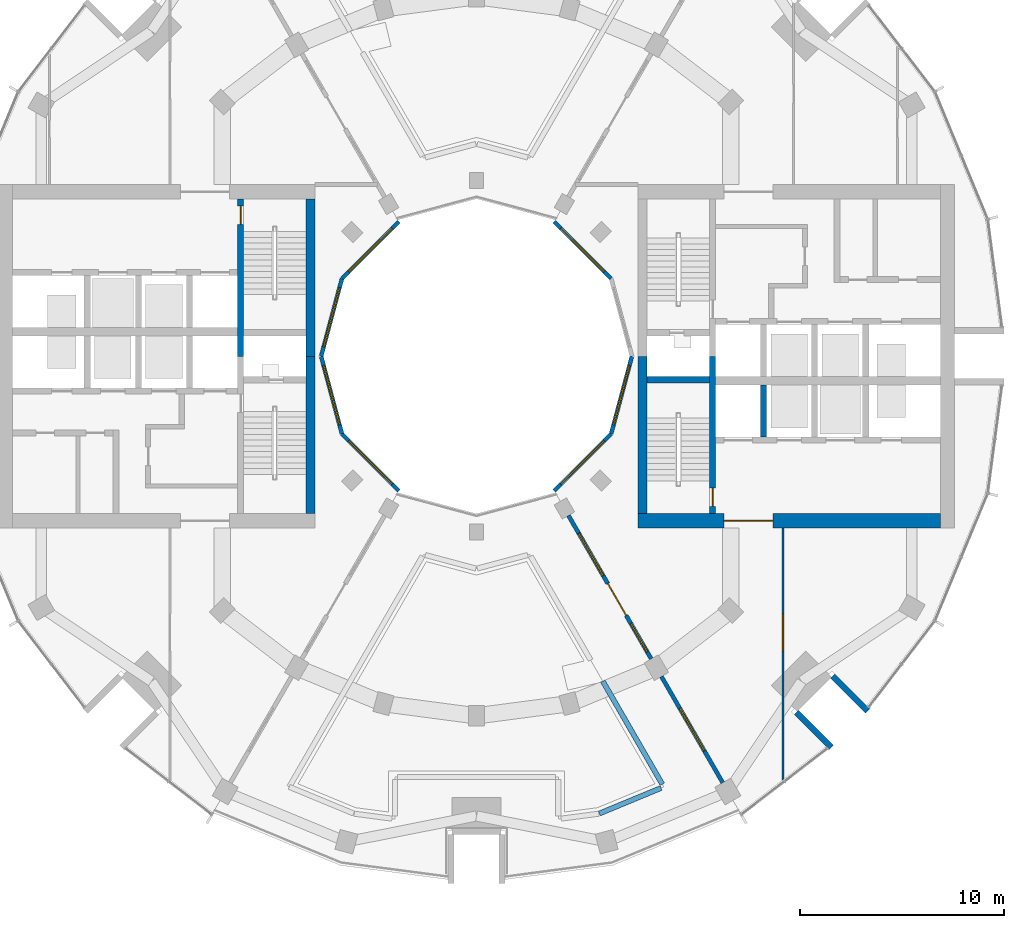
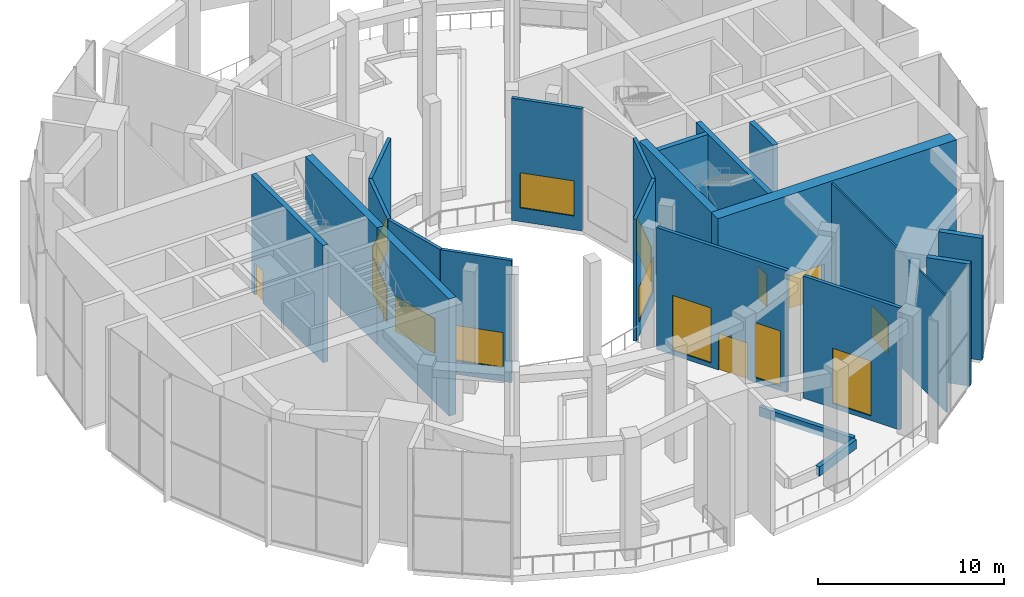
# One storey, part 12 of 18: 22 walls, 10 windows, 5 doors, 15 openings.
"""IFC4 building model written with IfcOpenShell, lengths in metres."""

from ifc_helpers import new_model, si_unit, direction, frame, frame_2d, origin, place, context, subcontext, project, spatial, rectangle, extrude, material, layer, layer_set, type_object, element, fill, save


model = new_model("IFC4")

# Units and contexts
model_context = context("Model", 3, precision=1e-05, world=origin(), true_north=direction((0.0, 1.0)))
body_context = subcontext(model_context, "Body", "Model", "MODEL_VIEW")
ifc_project = project(units=[si_unit("LENGTHUNIT", "METRE"), si_unit("AREAUNIT", "SQUARE_METRE"), si_unit("VOLUMEUNIT", "CUBIC_METRE"), si_unit("PLANEANGLEUNIT", "RADIAN"), si_unit("MASSUNIT", "GRAM", prefix="KILO")], contexts=[model_context])

# Site, building, storey
site_placement = place(None, origin())
site = spatial("IfcSite", under=ifc_project, at=site_placement, CompositionType="ELEMENT")
building_placement = place(site_placement, origin())
building = spatial("IfcBuilding", under=site, at=building_placement, Name="Torre Brocal", CompositionType="ELEMENT")
storey_placement = place(building_placement, frame((0.0, 0.0, 149.699951171875)))
storey = spatial("IfcBuildingStorey", under=building, at=storey_placement, Name="L35", CompositionType="ELEMENT", Elevation=149.699951171875)

# Wall, opening, door
ifc_material_1 = material(Name="Concrete C70", Category="concrete")
ifc_layer_1 = layer(ifc_material_1, 0.300048828125)
ifc_layer_set_1 = layer_set([ifc_layer_1], Name="Concrete C70")
wall_type_1 = type_object("IfcWallType", Name="CORE WALL 300 C70", PredefinedType="SHEAR", material=ifc_layer_set_1)
wall_1_placement = place(storey_placement, frame((91.550048828125, 67.300048828125, 0.0), z_axis=(0.0, 0.0, 1.0), x_axis=(0.0, 1.0, 0.0)))
wall_1 = element("IfcWall", 1, at=wall_1_placement, inside=storey, type_object=wall_type_1, Name="Wall CW300-70", PredefinedType="SHEAR", context=body_context, shape_type="SweptSolid", body=[
    extrude(rectangle(XDim=7.699951171875, YDim=0.300048828125, at=frame_2d((3.85009765625, 0.0))), origin(), (0.0, 0.0, 1.0), 7.679931640625),
])
opening_1_placement = place(wall_1_placement, frame((0.35009765625, 0.0, 0.0)))
opening_1 = element("IfcOpeningElement", 2, at=opening_1_placement, cuts=wall_1, Name="Opening E-D03", PredefinedType="OPENING", context=body_context, shape_type="SweptSolid", body=[
    extrude(rectangle(XDim=0.89990234375, YDim=2.10009765625, at=frame_2d((0.449951171875, 1.050048828125))), frame((0.0, 0.159912109375, 0.0), z_axis=(0.0, -1.0, 0.0), x_axis=(1.0, 0.0, 0.0)), (0.0, 0.0, 1.0), 0.320068359375),
])
ifc_material_2 = material(Name="Steel A653", Category="steel")
door_type_1 = type_object("IfcDoorType", Name="STAIR DOOR FD120 900X2100", OperationType="SINGLE_SWING_RIGHT", PredefinedType="DOOR", material=ifc_material_2)
door_1_placement = place(opening_1_placement, origin())
door_1 = element("IfcDoor", 3, at=door_1_placement, inside=storey, type_object=door_type_1, Name="Door E-D03", OperationType="SINGLE_SWING_LEFT", OverallHeight=2.10009765625, OverallWidth=0.89990234375, PredefinedType="DOOR", context=body_context, shape_type="SweptSolid", body=[
    extrude(rectangle(XDim=0.89990234375, YDim=2.10009765625, at=frame_2d((0.449951171875, 1.050048828125))), frame((0.0, 0.02490234375, 0.0), z_axis=(0.0, -1.0, 0.0), x_axis=(1.0, 0.0, 0.0)), (0.0, 0.0, 1.0), 0.050048828125),
])
fill(opening_1, door_1)

# Walls
wall_2_placement = place(storey_placement, frame((88.35009765625, 73.85009765625, 0.0), z_axis=(0.0, 0.0, 1.0), x_axis=(1.0, 0.0, 0.0)))
element("IfcWall", 4, at=wall_2_placement, inside=storey, type_object=wall_type_1, Name="Wall CW300-70", PredefinedType="SHEAR", context=body_context, shape_type="SweptSolid", body=[
    extrude(rectangle(XDim=3.0498046875, YDim=0.300048828125, at=frame_2d((1.52490234375, 0.0))), origin(), (0.0, 0.0, 1.0), 7.679931640625),
])
wall_3_placement = place(storey_placement, frame((94.050048828125, 71.050048828125, 0.0), z_axis=(0.0, 0.0, 1.0), x_axis=(0.0, 1.0, 0.0)))
element("IfcWall", 5, at=wall_3_placement, inside=storey, type_object=wall_type_1, Name="Wall CW300-70", PredefinedType="SHEAR", context=body_context, shape_type="SweptSolid", body=[
    extrude(rectangle(XDim=2.550048828125, YDim=0.300048828125, at=frame_2d((1.27490234375, 0.0))), origin(), (0.0, 0.0, 1.0), 7.679931640625),
])

# Wall, opening, door
wall_4_placement = place(storey_placement, frame((68.449951171875, 82.699951171875, 0.0), z_axis=(0.0, 0.0, 1.0), x_axis=(0.0, -1.0, 0.0)))
wall_4 = element("IfcWall", 6, at=wall_4_placement, inside=storey, type_object=wall_type_1, Name="Wall CW300-70", PredefinedType="SHEAR", context=body_context, shape_type="SweptSolid", body=[
    extrude(rectangle(XDim=7.699951171875, YDim=0.300048828125, at=frame_2d((3.85009765625, 0.0))), origin(), (0.0, 0.0, 1.0), 7.679931640625),
])
opening_2_placement = place(wall_4_placement, frame((0.35009765625, 0.0, 0.0)))
opening_2 = element("IfcOpeningElement", 7, at=opening_2_placement, cuts=wall_4, Name="Opening W-D03", PredefinedType="OPENING", context=body_context, shape_type="SweptSolid", body=[
    extrude(rectangle(XDim=0.89990234375, YDim=2.10009765625, at=frame_2d((0.449951171875, 1.050048828125))), frame((0.0, 0.159912109375, 0.0), z_axis=(0.0, -1.0, 0.0), x_axis=(1.0, 0.0, 0.0)), (0.0, 0.0, 1.0), 0.320068359375),
])
door_2_placement = place(opening_2_placement, origin())
door_2 = element("IfcDoor", 8, at=door_2_placement, inside=storey, type_object=door_type_1, Name="Door W-D03", OperationType="SINGLE_SWING_LEFT", OverallHeight=2.10009765625, OverallWidth=0.89990234375, PredefinedType="DOOR", context=body_context, shape_type="SweptSolid", body=[
    extrude(rectangle(XDim=0.89990234375, YDim=2.10009765625, at=frame_2d((0.449951171875, 1.050048828125))), frame((0.0, 0.02490234375, 0.0), z_axis=(0.0, -1.0, 0.0), x_axis=(1.0, 0.0, 0.0)), (0.0, 0.0, 1.0), 0.050048828125),
])
fill(opening_2, door_2)

# Walls
ifc_material_3 = material(Name="Concrete C70", Category="concrete")
ifc_layer_2 = layer(ifc_material_3, 0.449951171875)
ifc_layer_set_2 = layer_set([ifc_layer_2], Name="Concrete C70")
wall_type_2 = type_object("IfcWallType", Name="CORE WALL 450 C70", PredefinedType="SHEAR", material=ifc_layer_set_2)
for number, where, z_axis, x_axis, name in (
    (9, (88.125, 67.300048828125, 0.0), (0.0, 0.0, 1.0), (0.0, 1.0, 0.0), "Wall CW450-70"),
    (10, (71.875, 75.0, 0.0), (0.0, 0.0, 1.0), (0.0, -1.0, 0.0), "Wall CW450-70"),
    (11, (71.875, 82.699951171875, 0.0), (0.0, 0.0, 1.0), (0.0, -1.0, 0.0), "Wall CW450-70"),
):
    element("IfcWall", number, at=place(storey_placement, frame(where, z_axis=z_axis, x_axis=x_axis)), inside=storey, type_object=wall_type_2, Name=name, PredefinedType="SHEAR", context=body_context, shape_type="SweptSolid", body=[
        extrude(rectangle(XDim=7.699951171875, YDim=0.449951171875, at=frame_2d((3.85009765625, 0.0))), origin(), (0.0, 0.0, 1.0), 7.679931640625),
    ])

# Wall, opening, door
ifc_material_4 = material(Name="Concrete C70", Category="concrete")
ifc_layer_3 = layer(ifc_material_4, 0.699951171875)
ifc_layer_set_3 = layer_set([ifc_layer_3], Name="Concrete C70")
wall_type_3 = type_object("IfcWallType", Name="CORE WALL 700 C70", PredefinedType="SHEAR", material=ifc_layer_set_3)
wall_5_placement = place(storey_placement, frame((87.89990234375, 66.949951171875, 0.0), z_axis=(0.0, 0.0, 1.0), x_axis=(1.0, 0.0, 0.0)))
wall_5 = element("IfcWall", 12, at=wall_5_placement, inside=storey, type_object=wall_type_3, Name="Wall CW700-70", PredefinedType="SHEAR", context=body_context, shape_type="SweptSolid", body=[
    extrude(rectangle(XDim=14.800048828125, YDim=0.699951171875, at=frame_2d((7.39990234375, 0.0))), origin(), (0.0, 0.0, 1.0), 7.679931640625),
])
opening_3_placement = place(wall_5_placement, frame((4.199951171875, 0.0, 0.0)))
opening_3 = element("IfcOpeningElement", 13, at=opening_3_placement, cuts=wall_5, Name="Opening E-D27", PredefinedType="OPENING", context=body_context, shape_type="SweptSolid", body=[
    extrude(rectangle(XDim=2.39990234375, YDim=2.39990234375, at=frame_2d((1.199951171875, 1.199951171875))), frame((0.0, 0.35986328125, 0.0), z_axis=(0.0, -1.0, 0.0), x_axis=(1.0, 0.0, 0.0)), (0.0, 0.0, 1.0), 0.719970703125),
])
ifc_material_5 = material(Name="Steel A653", Category="steel")
door_type_2 = type_object("IfcDoorType", Name="DOUBLE FIRE DOOR FD90 2400X2400", OperationType="DOUBLE_DOOR_SINGLE_SWING", PredefinedType="DOOR", material=ifc_material_5)
door_3_placement = place(opening_3_placement, frame((2.39990234375, 0.0, 0.0), z_axis=(0.0, 0.0, 1.0), x_axis=(-1.0, 0.0, 0.0)))
door_3 = element("IfcDoor", 14, at=door_3_placement, inside=storey, type_object=door_type_2, Name="Door E-D27", OperationType="DOUBLE_DOOR_SINGLE_SWING", OverallHeight=2.39990234375, OverallWidth=2.39990234375, PredefinedType="DOOR", context=body_context, shape_type="SweptSolid", body=[
    extrude(rectangle(XDim=2.39990234375, YDim=2.39990234375, at=frame_2d((1.199951171875, 1.199951171875))), frame((0.0, 0.02490234375, 0.0), z_axis=(0.0, -1.0, 0.0), x_axis=(1.0, 0.0, 0.0)), (0.0, 0.0, 1.0), 0.050048828125),
])
fill(opening_3, door_3)

# Walls
ifc_material_6 = material(Name="Concrete C70", Category="concrete")
ifc_layer_4 = layer(ifc_material_6, 0.300048828125)
ifc_layer_set_4 = layer_set([ifc_layer_4], Name="Concrete C70")
wall_type_4 = type_object("IfcWallType", Name="NOTCH RETURN WALL 300 C70", PredefinedType="NOTDEFINED", material=ifc_layer_set_4)
for number, where, z_axis, x_axis, name in (
    (15, (95.662353515625, 57.56982421875, 0.0), (0.0, 0.0, 1.0), (0.707106781187, -0.707106781187, 0.0), "NOTCH RETURN WALL"),
    (16, (97.43017578125, 59.337646484375, 0.0), (0.0, 0.0, 1.0), (0.707106781187, -0.707106781187, 0.0), "NOTCH RETURN WALL"),
):
    element("IfcWall", number, at=place(storey_placement, frame(where, z_axis=z_axis, x_axis=x_axis)), inside=storey, type_object=wall_type_4, Name=name, PredefinedType="NOTDEFINED", context=body_context, shape_type="SweptSolid", body=[
        extrude(rectangle(XDim=2.415771484375, YDim=0.300048828125, at=frame_2d((1.2080078125, 0.0))), origin(), (0.0, 0.0, 1.0), 8.0),
    ])

# Wall, opening, door
ifc_material_7 = material(Name="Gypsum board", Category="Gypsum")
ifc_layer_5 = layer(ifc_material_7, 0.10009765625)
ifc_layer_set_5 = layer_set([ifc_layer_5], Name="Gypsum board")
wall_type_5 = type_object("IfcWallType", Name="PARTITION 100", PredefinedType="PARTITIONING", material=ifc_layer_set_5)
wall_6_placement = place(storey_placement, frame((95.0, 54.27001953125, 0.0), z_axis=(0.0, 0.0, 1.0), x_axis=(0.0, 1.0, 0.0)))
wall_6 = element("IfcWall", 17, at=wall_6_placement, inside=storey, type_object=wall_type_5, Name="ROOM PARTITION", PredefinedType="PARTITIONING", context=body_context, shape_type="SweptSolid", body=[
    extrude(rectangle(XDim=12.330078125, YDim=0.10009765625, at=frame_2d((6.1650390625, 0.0))), origin(), (0.0, 0.0, 1.0), 7.550048828125),
])
opening_4_placement = place(wall_6_placement, frame((6.30859375, 0.0, 0.0)))
opening_4 = element("IfcOpeningElement", 18, at=opening_4_placement, cuts=wall_6, Name="Opening SL2-D03", PredefinedType="OPENING", context=body_context, shape_type="SweptSolid", body=[
    extrude(rectangle(XDim=1.800048828125, YDim=2.10009765625, at=frame_2d((0.89990234375, 1.050048828125))), frame((0.0, 0.06005859375, 0.0), z_axis=(0.0, -1.0, 0.0), x_axis=(1.0, 0.0, 0.0)), (0.0, 0.0, 1.0), 0.1201171875),
])
ifc_material_8 = material(Name="Timber", Category="wood")
door_type_3 = type_object("IfcDoorType", Name="DOUBLE DOOR 1800X2100", OperationType="DOUBLE_DOOR_SINGLE_SWING", PredefinedType="DOOR", material=ifc_material_8)
door_4_placement = place(opening_4_placement, frame((1.800048828125, 0.0, 0.0), z_axis=(0.0, 0.0, 1.0), x_axis=(-1.0, 0.0, 0.0)))
door_4 = element("IfcDoor", 19, at=door_4_placement, inside=storey, type_object=door_type_3, Name="SL2-D03", OperationType="DOUBLE_DOOR_SINGLE_SWING", OverallHeight=2.10009765625, OverallWidth=1.800048828125, PredefinedType="DOOR", context=body_context, shape_type="SweptSolid", body=[
    extrude(rectangle(XDim=1.800048828125, YDim=2.10009765625, at=frame_2d((0.89990234375, 1.050048828125))), frame((0.0, 0.02490234375, 0.0), z_axis=(0.0, -1.0, 0.0), x_axis=(1.0, 0.0, 0.0)), (0.0, 0.0, 1.0), 0.050048828125),
])
fill(opening_4, door_4)

# Wall, openings, door, windows
ifc_material_9 = material(Name="Concrete C40", Category="concrete")
ifc_layer_6 = layer(ifc_material_9, 0.199951171875)
ifc_layer_set_6 = layer_set([ifc_layer_6], Name="Concrete C40")
wall_type_6 = type_object("IfcWallType", Name="PAVILION BOUNDARY WALL 200", PredefinedType="NOTDEFINED", material=ifc_layer_set_6)
wall_7_placement = place(storey_placement, frame((84.5, 67.205810546875, 0.0), z_axis=(0.0, 0.0, 1.0), x_axis=(0.499999880539, -0.866025472755, 0.0)))
wall_7 = element("IfcWall", 20, at=wall_7_placement, inside=storey, type_object=wall_type_6, Name="PAVILION BOUNDARY WALL", PredefinedType="NOTDEFINED", context=body_context, shape_type="SweptSolid", body=[
    extrude(rectangle(XDim=8.10009765625, YDim=0.199951171875, at=frame_2d((4.050048828125, 0.0))), origin(), (0.0, 0.0, 1.0), 8.0),
])
opening_5_placement = place(wall_7_placement, frame((1.0, 0.0, 0.300048828125)))
opening_5 = element("IfcOpeningElement", 21, at=opening_5_placement, cuts=wall_7, Name="Opening W4", PredefinedType="OPENING", context=body_context, shape_type="SweptSolid", body=[
    extrude(rectangle(XDim=2.39990234375, YDim=3.60009765625, at=frame_2d((1.199951171875, 1.800048828125))), frame((0.0, 0.10986328125, 0.0), z_axis=(0.0, -1.0, 0.0), x_axis=(1.0, 0.0, 0.0)), (0.0, 0.0, 1.0), 0.219970703125),
])
opening_6_placement = place(wall_7_placement, frame((3.85009765625, 0.0, 0.0)))
opening_6 = element("IfcOpeningElement", 22, at=opening_6_placement, cuts=wall_7, Name="Opening L35-E04", PredefinedType="OPENING", context=body_context, shape_type="SweptSolid", body=[
    extrude(rectangle(XDim=1.800048828125, YDim=2.39990234375, at=frame_2d((0.89990234375, 1.199951171875))), frame((0.0, 0.10986328125, 0.0), z_axis=(0.0, -1.0, 0.0), x_axis=(1.0, 0.0, 0.0)), (0.0, 0.0, 1.0), 0.219970703125),
])
opening_7_placement = place(wall_7_placement, frame((6.10009765625, 0.0, 0.300048828125)))
opening_7 = element("IfcOpeningElement", 23, at=opening_7_placement, cuts=wall_7, Name="Opening W4-1600", PredefinedType="OPENING", context=body_context, shape_type="SweptSolid", body=[
    extrude(rectangle(XDim=1.60009765625, YDim=3.60009765625, at=frame_2d((0.800048828125, 1.800048828125))), frame((0.0, 0.10986328125, 0.0), z_axis=(0.0, -1.0, 0.0), x_axis=(1.0, 0.0, 0.0)), (0.0, 0.0, 1.0), 0.219970703125),
])
ifc_material_10 = material(Name="Aluminium and glass", Category="aluminium")
door_type_4 = type_object("IfcDoorType", Name="PAVILION DOOR 1800X2400", OperationType="DOUBLE_DOOR_SINGLE_SWING", PredefinedType="DOOR", material=ifc_material_10)
door_5_placement = place(opening_6_placement, frame((1.800048828125, 0.0, 0.0), z_axis=(0.0, 0.0, 1.0), x_axis=(-1.0, 0.0, 0.0)))
door_5 = element("IfcDoor", 24, at=door_5_placement, inside=storey, type_object=door_type_4, Name="DOOR L35-E04", OperationType="DOUBLE_DOOR_SINGLE_SWING", OverallHeight=2.39990234375, OverallWidth=1.800048828125, PredefinedType="DOOR", context=body_context, shape_type="SweptSolid", body=[
    extrude(rectangle(XDim=1.800048828125, YDim=2.39990234375, at=frame_2d((0.89990234375, 1.199951171875))), frame((0.0, 0.02490234375, 0.0), z_axis=(0.0, -1.0, 0.0), x_axis=(1.0, 0.0, 0.0)), (0.0, 0.0, 1.0), 0.050048828125),
])
fill(opening_6, door_5)
ifc_material_11 = material(Name="Aluminium and glass", Category="aluminium")
window_type_1 = type_object("IfcWindowType", Name="PAVILION WINDOW 1600X3600", PartitioningType="SINGLE_PANEL", PredefinedType="WINDOW", material=ifc_material_11)
window_1_placement = place(opening_7_placement, origin())
window_1 = element("IfcWindow", 25, at=window_1_placement, inside=storey, type_object=window_type_1, Name="PAVILION WINDOW 1600X3600", OverallHeight=3.60009765625, OverallWidth=1.60009765625, PartitioningType="SINGLE_PANEL", PredefinedType="WINDOW", context=body_context, shape_type="SweptSolid", body=[
    extrude(rectangle(XDim=1.60009765625, YDim=3.60009765625, at=frame_2d((0.800048828125, 1.800048828125))), frame((0.0, 0.030029296875, 0.0), z_axis=(0.0, -1.0, 0.0), x_axis=(1.0, 0.0, 0.0)), (0.0, 0.0, 1.0), 0.06005859375),
])
fill(opening_7, window_1)
ifc_material_12 = material(Name="Aluminium and glass", Category="aluminium")
window_type_2 = type_object("IfcWindowType", Name="PAVILION WINDOW 2400X3600", PartitioningType="SINGLE_PANEL", PredefinedType="WINDOW", material=ifc_material_12)
window_2_placement = place(opening_5_placement, origin())
window_2 = element("IfcWindow", 26, at=window_2_placement, inside=storey, type_object=window_type_2, Name="PAVILION WINDOW 2400X3600", OverallHeight=3.60009765625, OverallWidth=2.39990234375, PartitioningType="SINGLE_PANEL", PredefinedType="WINDOW", context=body_context, shape_type="SweptSolid", body=[
    extrude(rectangle(XDim=2.39990234375, YDim=3.60009765625, at=frame_2d((1.199951171875, 1.800048828125))), frame((0.0, 0.030029296875, 0.0), z_axis=(0.0, -1.0, 0.0), x_axis=(1.0, 0.0, 0.0)), (0.0, 0.0, 1.0), 0.06005859375),
])
fill(opening_5, window_2)

# Wall, opening, window
wall_8_placement = place(storey_placement, frame((89.050048828125, 59.324951171875, 0.0), z_axis=(0.0, 0.0, 1.0), x_axis=(0.500007758305, -0.866020924479, 0.0)))
wall_8 = element("IfcWall", 27, at=wall_8_placement, inside=storey, type_object=wall_type_6, Name="PAVILION BOUNDARY WALL", PredefinedType="NOTDEFINED", context=body_context, shape_type="SweptSolid", body=[
    extrude(rectangle(XDim=6.0, YDim=0.199951171875, at=frame_2d((3.0, 0.0))), origin(), (0.0, 0.0, 1.0), 8.0),
])
opening_8_placement = place(wall_8_placement, frame((1.800048828125, 0.0, 0.300048828125)))
opening_8 = element("IfcOpeningElement", 28, at=opening_8_placement, cuts=wall_8, Name="Opening W4", PredefinedType="OPENING", context=body_context, shape_type="SweptSolid", body=[
    extrude(rectangle(XDim=2.39990234375, YDim=3.60009765625, at=frame_2d((1.199951171875, 1.800048828125))), frame((0.0, 0.10986328125, 0.0), z_axis=(0.0, -1.0, 0.0), x_axis=(1.0, 0.0, 0.0)), (0.0, 0.0, 1.0), 0.219970703125),
])
window_3_placement = place(opening_8_placement, origin())
window_3 = element("IfcWindow", 29, at=window_3_placement, inside=storey, type_object=window_type_2, Name="PAVILION WINDOW 2400X3600", OverallHeight=3.60009765625, OverallWidth=2.39990234375, PartitioningType="SINGLE_PANEL", PredefinedType="WINDOW", context=body_context, shape_type="SweptSolid", body=[
    extrude(rectangle(XDim=2.39990234375, YDim=3.60009765625, at=frame_2d((1.199951171875, 1.800048828125))), frame((0.0, 0.030029296875, 0.0), z_axis=(0.0, -1.0, 0.0), x_axis=(1.0, 0.0, 0.0)), (0.0, 0.0, 1.0), 0.06005859375),
])
fill(opening_8, window_3)

# Walls
ifc_material_13 = material(Name="Concrete C35", Category="concrete")
ifc_layer_7 = layer(ifc_material_13, 0.25)
ifc_layer_set_7 = layer_set([ifc_layer_7], Name="Concrete C35")
wall_type_7 = type_object("IfcWallType", Name="PLANTER WALL 250 THICK 600 HIGH 8", PredefinedType="USERDEFINED", material=ifc_layer_set_7)
wall_9_placement = place(storey_placement, frame((86.013671875, 52.6201171875, 0.0), z_axis=(0.0, 0.0, 1.0), x_axis=(0.923863886655, 0.382721202621, 0.0)))
element("IfcWall", 30, at=wall_9_placement, inside=storey, type_object=wall_type_7, Name="PLANTER", ObjectType="PLANTER", PredefinedType="USERDEFINED", context=body_context, shape_type="SweptSolid", body=[
    extrude(rectangle(XDim=3.2685546875, YDim=0.25, at=frame_2d((1.63427734375, 0.0))), origin(), (0.0, 0.0, 1.0), 0.60009765625),
])
wall_10_placement = place(storey_placement, frame((89.09375, 54.049072265625, 0.0), z_axis=(0.0, 0.0, 1.0), x_axis=(-0.50000795037, 0.866020813587, 0.0)))
element("IfcWall", 31, at=wall_10_placement, inside=storey, type_object=wall_type_7, Name="PLANTER", ObjectType="PLANTER", PredefinedType="USERDEFINED", context=body_context, shape_type="SweptSolid", body=[
    extrude(rectangle(XDim=5.8232421875, YDim=0.25, at=frame_2d((2.91162109375, 0.0))), origin(), (0.0, 0.0, 1.0), 0.60009765625),
])

# Wall, opening, window
ifc_material_14 = material(Name="Concrete C40", Category="concrete")
ifc_layer_8 = layer(ifc_material_14, 0.199951171875)
ifc_layer_set_8 = layer_set([ifc_layer_8], Name="Concrete C40")
wall_type_8 = type_object("IfcWallType", Name="WELL FACADE WALL 200", PredefinedType="NOTDEFINED", material=ifc_layer_set_8)
wall_11_placement = place(storey_placement, frame((86.5849609375, 78.8017578125, 0.0), z_axis=(0.0, 0.0, 1.0), x_axis=(-0.707106781187, 0.707106781187, 0.0)))
wall_11 = element("IfcWall", 32, at=wall_11_placement, inside=storey, type_object=wall_type_8, Name="WELL FACADE WALL", PredefinedType="NOTDEFINED", context=body_context, shape_type="SweptSolid", body=[
    extrude(rectangle(XDim=3.93603515625, YDim=0.199951171875, at=frame_2d((1.968017578125, 0.0))), origin(), (0.0, 0.0, 1.0), 8.0),
])
opening_9_placement = place(wall_11_placement, frame((0.468017578125, 0.0, 0.89990234375)))
opening_9 = element("IfcOpeningElement", 33, at=opening_9_placement, cuts=wall_11, Name="Opening W1", PredefinedType="OPENING", context=body_context, shape_type="SweptSolid", body=[
    extrude(rectangle(XDim=3.0, YDim=2.300048828125, at=frame_2d((1.5, 1.14990234375))), frame((0.0, 0.10986328125, 0.0), z_axis=(0.0, -1.0, 0.0), x_axis=(1.0, 0.0, 0.0)), (0.0, 0.0, 1.0), 0.219970703125),
])
ifc_material_15 = material(Name="Aluminium and glass", Category="aluminium")
window_type_3 = type_object("IfcWindowType", Name="WELL WINDOW 3000X2300", PartitioningType="SINGLE_PANEL", PredefinedType="WINDOW", material=ifc_material_15)
window_4_placement = place(opening_9_placement, origin())
window_4 = element("IfcWindow", 34, at=window_4_placement, inside=storey, type_object=window_type_3, Name="WELL WINDOW 3000X2300", OverallHeight=2.300048828125, OverallWidth=3.0, PartitioningType="SINGLE_PANEL", PredefinedType="WINDOW", context=body_context, shape_type="SweptSolid", body=[
    extrude(rectangle(XDim=3.0, YDim=2.300048828125, at=frame_2d((1.5, 1.14990234375))), frame((0.0, 0.030029296875, 0.0), z_axis=(0.0, -1.0, 0.0), x_axis=(1.0, 0.0, 0.0)), (0.0, 0.0, 1.0), 0.06005859375),
])
fill(opening_9, window_4)

wall_12_placement = place(storey_placement, frame((76.1982421875, 81.5849609375, 0.0), z_axis=(0.0, 0.0, 1.0), x_axis=(-0.707106781187, -0.707106781187, 0.0)))
wall_12 = element("IfcWall", 35, at=wall_12_placement, inside=storey, type_object=wall_type_8, Name="WELL FACADE WALL", PredefinedType="NOTDEFINED", context=body_context, shape_type="SweptSolid", body=[
    extrude(rectangle(XDim=3.93603515625, YDim=0.199951171875, at=frame_2d((1.968017578125, 0.0))), origin(), (0.0, 0.0, 1.0), 8.0),
])
opening_10_placement = place(wall_12_placement, frame((0.468017578125, 0.0, 0.89990234375)))
opening_10 = element("IfcOpeningElement", 36, at=opening_10_placement, cuts=wall_12, Name="Opening W1", PredefinedType="OPENING", context=body_context, shape_type="SweptSolid", body=[
    extrude(rectangle(XDim=3.0, YDim=2.300048828125, at=frame_2d((1.5, 1.14990234375))), frame((0.0, 0.10986328125, 0.0), z_axis=(0.0, -1.0, 0.0), x_axis=(1.0, 0.0, 0.0)), (0.0, 0.0, 1.0), 0.219970703125),
])
window_5_placement = place(opening_10_placement, origin())
window_5 = element("IfcWindow", 37, at=window_5_placement, inside=storey, type_object=window_type_3, Name="WELL WINDOW 3000X2300", OverallHeight=2.300048828125, OverallWidth=3.0, PartitioningType="SINGLE_PANEL", PredefinedType="WINDOW", context=body_context, shape_type="SweptSolid", body=[
    extrude(rectangle(XDim=3.0, YDim=2.300048828125, at=frame_2d((1.5, 1.14990234375))), frame((0.0, 0.030029296875, 0.0), z_axis=(0.0, -1.0, 0.0), x_axis=(1.0, 0.0, 0.0)), (0.0, 0.0, 1.0), 0.06005859375),
])
fill(opening_10, window_5)

wall_13_placement = place(storey_placement, frame((73.4150390625, 78.8017578125, 0.0), z_axis=(0.0, 0.0, 1.0), x_axis=(-0.258789828301, -0.965933654434, 0.0)))
wall_13 = element("IfcWall", 38, at=wall_13_placement, inside=storey, type_object=wall_type_8, Name="WELL FACADE WALL", PredefinedType="NOTDEFINED", context=body_context, shape_type="SweptSolid", body=[
    extrude(rectangle(XDim=3.935791015625, YDim=0.199951171875, at=frame_2d((1.9677734375, 0.0))), origin(), (0.0, 0.0, 1.0), 8.0),
])
opening_11_placement = place(wall_13_placement, frame((0.468017578125, 0.0, 0.89990234375)))
opening_11 = element("IfcOpeningElement", 39, at=opening_11_placement, cuts=wall_13, Name="Opening W1", PredefinedType="OPENING", context=body_context, shape_type="SweptSolid", body=[
    extrude(rectangle(XDim=3.0, YDim=2.300048828125, at=frame_2d((1.5, 1.14990234375))), frame((0.0, 0.10986328125, 0.0), z_axis=(0.0, -1.0, 0.0), x_axis=(1.0, 0.0, 0.0)), (0.0, 0.0, 1.0), 0.219970703125),
])
window_6_placement = place(opening_11_placement, origin())
window_6 = element("IfcWindow", 40, at=window_6_placement, inside=storey, type_object=window_type_3, Name="WELL WINDOW 3000X2300", OverallHeight=2.300048828125, OverallWidth=3.0, PartitioningType="SINGLE_PANEL", PredefinedType="WINDOW", context=body_context, shape_type="SweptSolid", body=[
    extrude(rectangle(XDim=3.0, YDim=2.300048828125, at=frame_2d((1.5, 1.14990234375))), frame((0.0, 0.030029296875, 0.0), z_axis=(0.0, -1.0, 0.0), x_axis=(1.0, 0.0, 0.0)), (0.0, 0.0, 1.0), 0.06005859375),
])
fill(opening_11, window_6)

wall_14_placement = place(storey_placement, frame((72.396484375, 75.0, 0.0), z_axis=(0.0, 0.0, 1.0), x_axis=(0.258789828301, -0.965933654434, 0.0)))
wall_14 = element("IfcWall", 41, at=wall_14_placement, inside=storey, type_object=wall_type_8, Name="WELL FACADE WALL", PredefinedType="NOTDEFINED", context=body_context, shape_type="SweptSolid", body=[
    extrude(rectangle(XDim=3.935791015625, YDim=0.199951171875, at=frame_2d((1.9677734375, 0.0))), origin(), (0.0, 0.0, 1.0), 8.0),
])
opening_12_placement = place(wall_14_placement, frame((0.468017578125, 0.0, 0.89990234375)))
opening_12 = element("IfcOpeningElement", 42, at=opening_12_placement, cuts=wall_14, Name="Opening W1", PredefinedType="OPENING", context=body_context, shape_type="SweptSolid", body=[
    extrude(rectangle(XDim=3.0, YDim=2.300048828125, at=frame_2d((1.5, 1.14990234375))), frame((0.0, 0.10986328125, 0.0), z_axis=(0.0, -1.0, 0.0), x_axis=(1.0, 0.0, 0.0)), (0.0, 0.0, 1.0), 0.219970703125),
])
window_7_placement = place(opening_12_placement, origin())
window_7 = element("IfcWindow", 43, at=window_7_placement, inside=storey, type_object=window_type_3, Name="WELL WINDOW 3000X2300", OverallHeight=2.300048828125, OverallWidth=3.0, PartitioningType="SINGLE_PANEL", PredefinedType="WINDOW", context=body_context, shape_type="SweptSolid", body=[
    extrude(rectangle(XDim=3.0, YDim=2.300048828125, at=frame_2d((1.5, 1.14990234375))), frame((0.0, 0.030029296875, 0.0), z_axis=(0.0, -1.0, 0.0), x_axis=(1.0, 0.0, 0.0)), (0.0, 0.0, 1.0), 0.06005859375),
])
fill(opening_12, window_7)

wall_15_placement = place(storey_placement, frame((73.4150390625, 71.1982421875, 0.0), z_axis=(0.0, 0.0, 1.0), x_axis=(0.707106781187, -0.707106781187, 0.0)))
wall_15 = element("IfcWall", 44, at=wall_15_placement, inside=storey, type_object=wall_type_8, Name="WELL FACADE WALL", PredefinedType="NOTDEFINED", context=body_context, shape_type="SweptSolid", body=[
    extrude(rectangle(XDim=3.93603515625, YDim=0.199951171875, at=frame_2d((1.968017578125, 0.0))), origin(), (0.0, 0.0, 1.0), 8.0),
])
opening_13_placement = place(wall_15_placement, frame((0.468017578125, 0.0, 0.89990234375)))
opening_13 = element("IfcOpeningElement", 45, at=opening_13_placement, cuts=wall_15, Name="Opening W1", PredefinedType="OPENING", context=body_context, shape_type="SweptSolid", body=[
    extrude(rectangle(XDim=3.0, YDim=2.300048828125, at=frame_2d((1.5, 1.14990234375))), frame((0.0, 0.10986328125, 0.0), z_axis=(0.0, -1.0, 0.0), x_axis=(1.0, 0.0, 0.0)), (0.0, 0.0, 1.0), 0.219970703125),
])
window_8_placement = place(opening_13_placement, origin())
window_8 = element("IfcWindow", 46, at=window_8_placement, inside=storey, type_object=window_type_3, Name="WELL WINDOW 3000X2300", OverallHeight=2.300048828125, OverallWidth=3.0, PartitioningType="SINGLE_PANEL", PredefinedType="WINDOW", context=body_context, shape_type="SweptSolid", body=[
    extrude(rectangle(XDim=3.0, YDim=2.300048828125, at=frame_2d((1.5, 1.14990234375))), frame((0.0, 0.030029296875, 0.0), z_axis=(0.0, -1.0, 0.0), x_axis=(1.0, 0.0, 0.0)), (0.0, 0.0, 1.0), 0.06005859375),
])
fill(opening_13, window_8)

wall_16_placement = place(storey_placement, frame((83.8017578125, 68.4150390625, 0.0), z_axis=(0.0, 0.0, 1.0), x_axis=(0.707106781187, 0.707106781187, 0.0)))
wall_16 = element("IfcWall", 47, at=wall_16_placement, inside=storey, type_object=wall_type_8, Name="WELL FACADE WALL", PredefinedType="NOTDEFINED", context=body_context, shape_type="SweptSolid", body=[
    extrude(rectangle(XDim=3.93603515625, YDim=0.199951171875, at=frame_2d((1.968017578125, 0.0))), origin(), (0.0, 0.0, 1.0), 8.0),
])
opening_14_placement = place(wall_16_placement, frame((0.468017578125, 0.0, 0.89990234375)))
opening_14 = element("IfcOpeningElement", 48, at=opening_14_placement, cuts=wall_16, Name="Opening W1", PredefinedType="OPENING", context=body_context, shape_type="SweptSolid", body=[
    extrude(rectangle(XDim=3.0, YDim=2.300048828125, at=frame_2d((1.5, 1.14990234375))), frame((0.0, 0.10986328125, 0.0), z_axis=(0.0, -1.0, 0.0), x_axis=(1.0, 0.0, 0.0)), (0.0, 0.0, 1.0), 0.219970703125),
])
window_9_placement = place(opening_14_placement, origin())
window_9 = element("IfcWindow", 49, at=window_9_placement, inside=storey, type_object=window_type_3, Name="WELL WINDOW 3000X2300", OverallHeight=2.300048828125, OverallWidth=3.0, PartitioningType="SINGLE_PANEL", PredefinedType="WINDOW", context=body_context, shape_type="SweptSolid", body=[
    extrude(rectangle(XDim=3.0, YDim=2.300048828125, at=frame_2d((1.5, 1.14990234375))), frame((0.0, 0.030029296875, 0.0), z_axis=(0.0, -1.0, 0.0), x_axis=(1.0, 0.0, 0.0)), (0.0, 0.0, 1.0), 0.06005859375),
])
fill(opening_14, window_9)

wall_17_placement = place(storey_placement, frame((86.5849609375, 71.1982421875, 0.0), z_axis=(0.0, 0.0, 1.0), x_axis=(0.258789828301, 0.965933654434, 0.0)))
wall_17 = element("IfcWall", 50, at=wall_17_placement, inside=storey, type_object=wall_type_8, Name="WELL FACADE WALL", PredefinedType="NOTDEFINED", context=body_context, shape_type="SweptSolid", body=[
    extrude(rectangle(XDim=3.935791015625, YDim=0.199951171875, at=frame_2d((1.9677734375, 0.0))), origin(), (0.0, 0.0, 1.0), 8.0),
])
opening_15_placement = place(wall_17_placement, frame((0.468017578125, 0.0, 0.89990234375)))
opening_15 = element("IfcOpeningElement", 51, at=opening_15_placement, cuts=wall_17, Name="Opening W1", PredefinedType="OPENING", context=body_context, shape_type="SweptSolid", body=[
    extrude(rectangle(XDim=3.0, YDim=2.300048828125, at=frame_2d((1.5, 1.14990234375))), frame((0.0, 0.10986328125, 0.0), z_axis=(0.0, -1.0, 0.0), x_axis=(1.0, 0.0, 0.0)), (0.0, 0.0, 1.0), 0.219970703125),
])
window_10_placement = place(opening_15_placement, origin())
window_10 = element("IfcWindow", 52, at=window_10_placement, inside=storey, type_object=window_type_3, Name="WELL WINDOW 3000X2300", OverallHeight=2.300048828125, OverallWidth=3.0, PartitioningType="SINGLE_PANEL", PredefinedType="WINDOW", context=body_context, shape_type="SweptSolid", body=[
    extrude(rectangle(XDim=3.0, YDim=2.300048828125, at=frame_2d((1.5, 1.14990234375))), frame((0.0, 0.030029296875, 0.0), z_axis=(0.0, -1.0, 0.0), x_axis=(1.0, 0.0, 0.0)), (0.0, 0.0, 1.0), 0.06005859375),
])
fill(opening_15, window_10)

save(model, "model.ifc")
